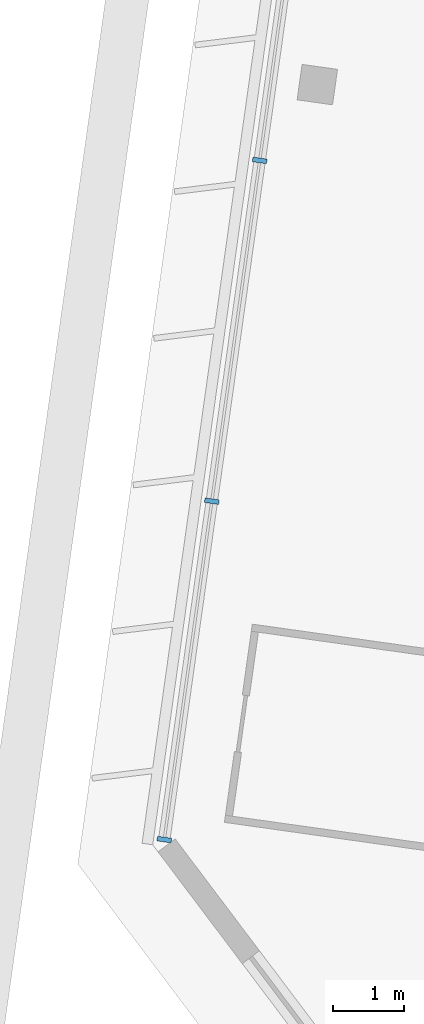
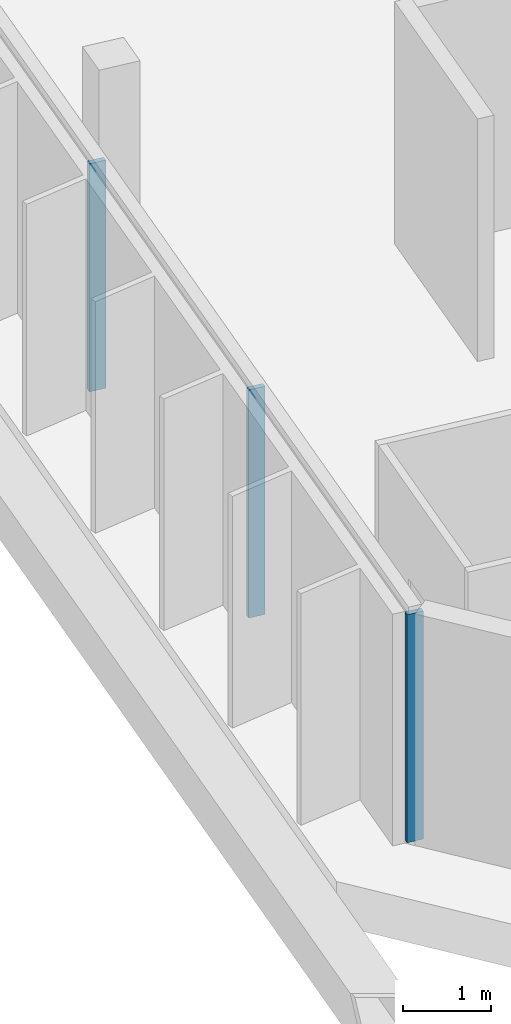
# One storey, part 2 of 26: 3 members, 1 element without a shape of its own.
"""IFC4 building model written with IfcOpenShell, lengths in metres."""

from ifc_helpers import new_model, si_unit, direction, frame, origin, origin_2d, place, context, subcontext, project, spatial, rectangle, extrude, material, material_profile, profile_set, type_object, element, aggregate, save


model = new_model("IFC4")

# Units and contexts
model_context = context("Model", 3, precision=1e-05, world=origin(), true_north=direction((0.0, 1.0)))
body_context = subcontext(model_context, "Body", "Model", "MODEL_VIEW")
ifc_project = project(units=[si_unit("LENGTHUNIT", "METRE"), si_unit("AREAUNIT", "SQUARE_METRE"), si_unit("VOLUMEUNIT", "CUBIC_METRE"), si_unit("PLANEANGLEUNIT", "RADIAN"), si_unit("MASSUNIT", "GRAM", prefix="KILO")], contexts=[model_context])

# Site, building, storey
site_placement = place(None, origin())
site = spatial("IfcSite", under=ifc_project, at=site_placement, CompositionType="ELEMENT")
building_placement = place(site_placement, origin())
building = spatial("IfcBuilding", under=site, at=building_placement, Name="Mirante Cascada Hotel Towers", CompositionType="ELEMENT")
storey_placement = place(building_placement, frame((0.0, 0.0, 235.6)))
storey = spatial("IfcBuildingStorey", under=building, at=storey_placement, Name="L56", CompositionType="ELEMENT", Elevation=235.6)

# Curtain wall, members
ifc_material_1 = material(Name="Aluminium mullion and transom frame with clear laminated glass", Category="aluminium")
curtain_wall_type = type_object("IfcCurtainWallType", Name="End ribbon curtain wall ECW2", PredefinedType="NOTDEFINED", material=ifc_material_1)
curtain_wall_placement = place(storey_placement, origin())
curtain_wall = element("IfcCurtainWall", 1, at=curtain_wall_placement, inside=storey, type_object=curtain_wall_type, Name="Outer end wall T1 L56", PredefinedType="NOTDEFINED")
ifc_material_2 = material(Name="Anodised aluminium extrusion", Category="aluminium")
ifc_material_profile = material_profile(ifc_material_2, rectangle(XDim=0.2, YDim=0.065, at=origin_2d()), Name="ECW2 MULLION 65x200")
ifc_profile_set = profile_set([ifc_material_profile], Name="Anodised aluminium extrusion")
member_type = type_object("IfcMemberType", Name="ECW2 mullion 65x200", PredefinedType="MULLION", material=ifc_profile_set)
member_1_placement = place(storey_placement, frame((-67.5059, -11.2758, 0.1), z_axis=(0.0, 0.0, 1.0), x_axis=(-0.9902681, 0.1391731, 0.0)))
member_1 = element("IfcMember", 2, at=member_1_placement, type_object=member_type, Name="ECW2 mullion 1", PredefinedType="MULLION", context=body_context, shape_type="SweptSolid", body=[
    extrude(rectangle(XDim=0.2, YDim=0.065, at=origin_2d()), origin(), (0.0, 0.0, 1.0), 3.15),
])
member_2_placement = place(storey_placement, frame((-66.8407, -6.5422, 0.1), z_axis=(0.0, 0.0, 1.0), x_axis=(-0.9902681, 0.1391731, 0.0)))
member_2 = element("IfcMember", 3, at=member_2_placement, type_object=member_type, Name="ECW2 mullion 2", PredefinedType="MULLION", context=body_context, shape_type="SweptSolid", body=[
    extrude(rectangle(XDim=0.2, YDim=0.065, at=origin_2d()), origin(), (0.0, 0.0, 1.0), 3.15),
])
member_3_placement = place(storey_placement, frame((-66.1709, -1.7764, 0.1), z_axis=(0.0, 0.0, 1.0), x_axis=(-0.9902681, 0.1391731, 0.0)))
member_3 = element("IfcMember", 4, at=member_3_placement, type_object=member_type, Name="ECW2 mullion 3", PredefinedType="MULLION", context=body_context, shape_type="SweptSolid", body=[
    extrude(rectangle(XDim=0.2, YDim=0.065, at=origin_2d()), origin(), (0.0, 0.0, 1.0), 3.15),
])
aggregate(curtain_wall, [member_1, member_2, member_3])

save(model, "model.ifc")
